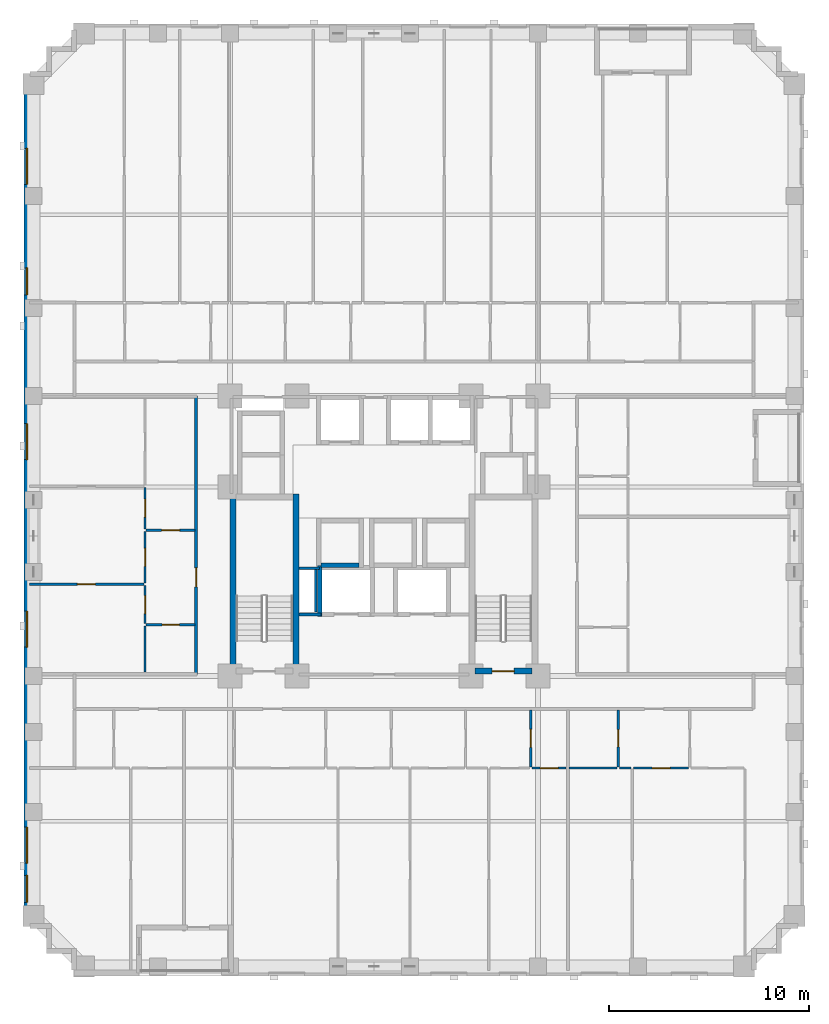
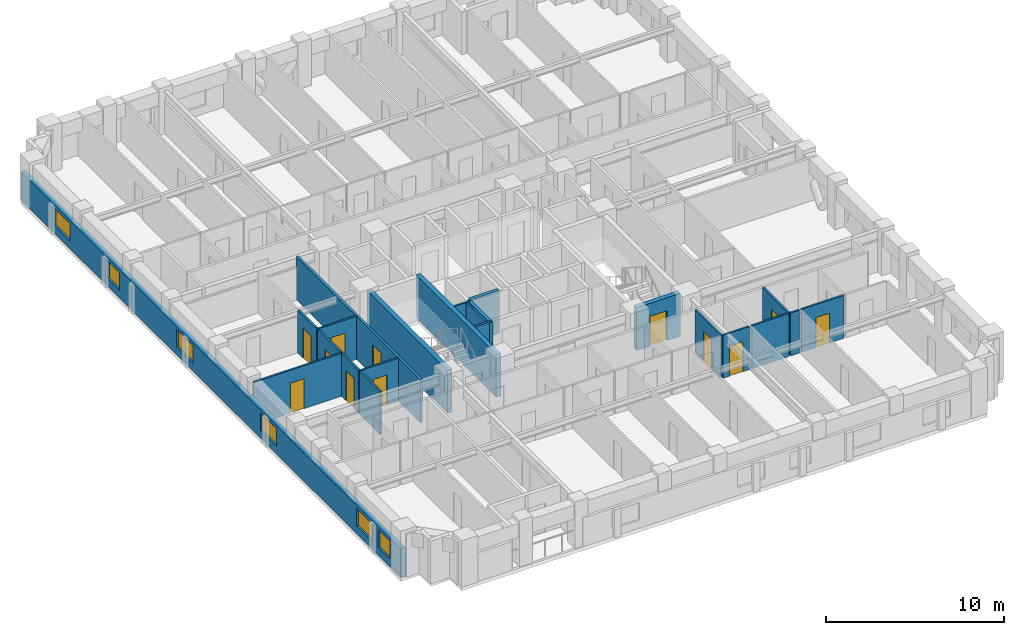
# One storey, part 4 of 14: 23 walls, 12 doors, 6 windows, 18 openings.
"""IFC4 building model written with IfcOpenShell, lengths in metres."""

import ifcopenshell
import ifcopenshell.guid

model = None  # the IFC model being written
_history = None  # IfcOwnerHistory: only IFC2X3 demands one
_inside = {}  # id of a spatial element -> (the spatial element, [elements in it])
_under = {}  # id of a project, library or spatial element -> (it, [spatial elements below it])
_declared = {}  # id of a project -> (the project, [libraries it declares])
_typed = {}  # id of a type object -> (the type object, [elements of that type])
_made_of = {}  # id of a material, layer set ... -> (it, [elements and type objects made of it])


def new_model(schema):
    """Start an empty IFC model of exactly this schema.

    Asked for "IFC4X3", IfcOpenShell would pick the latest addendum, in which some entities
    have other attributes; the version numbers below select the first issue.
    IFC2X3 requires an IfcOwnerHistory on every rooted entity: one is made here for all.
    """
    global model, _history
    if schema == "IFC4X3":
        model = ifcopenshell.file(schema_version=(4, 3, 0, 0))
    else:
        model = ifcopenshell.file(schema=schema)
    _inside.clear()
    _under.clear()
    _declared.clear()
    _typed.clear()
    _made_of.clear()
    _history = None
    if model.schema == "IFC2X3":
        org = make("IfcOrganization", Name="unknown")
        user = make(
            "IfcPersonAndOrganization",
            ThePerson=make("IfcPerson", FamilyName="unknown"),
            TheOrganization=org,
        )
        app = make(
            "IfcApplication",
            ApplicationDeveloper=org,
            Version="unknown",
            ApplicationFullName="unknown",
            ApplicationIdentifier="unknown",
        )
        _history = make(
            "IfcOwnerHistory",
            OwningUser=user,
            OwningApplication=app,
            ChangeAction="ADDED",
            CreationDate=0,
        )
    return model


def make(cls, **values):
    """One entity of the class cls with the attributes given. An attribute that is None is left unset."""
    return model.create_entity(
        cls, **{name: value for name, value in values.items() if value is not None}
    )


def rooted(cls, **values):
    """An entity with a GlobalId (a new one), such as an element, a storey or a relation."""
    return make(cls, GlobalId=ifcopenshell.guid.new(), OwnerHistory=_history, **values)


def si_unit(unit_type, name, prefix=None):
    """IfcSIUnit, for example si_unit("LENGTHUNIT", "METRE", prefix="MILLI")."""
    return make("IfcSIUnit", UnitType=unit_type, Prefix=prefix, Name=name)


def derived_unit(unit_type, elements):
    """IfcDerivedUnit: a product of units, each with its exponent."""
    return make(
        "IfcDerivedUnit",
        Elements=[
            make("IfcDerivedUnitElement", Unit=unit, Exponent=power)
            for unit, power in elements
        ],
        UnitType=unit_type,
    )


def assignment(units):
    """IfcUnitAssignment: the units of a project."""
    return None if units is None else make("IfcUnitAssignment", Units=units)


def point(xyz):
    """IfcCartesianPoint."""
    return None if xyz is None else make("IfcCartesianPoint", Coordinates=xyz)


def direction(xyz):
    """IfcDirection."""
    return None if xyz is None else make("IfcDirection", DirectionRatios=xyz)


def frame(location, z_axis=None, x_axis=None):
    """IfcAxis2Placement3D, a coordinate frame: its origin and axes. An axis left out is left unset."""
    return make(
        "IfcAxis2Placement3D",
        Location=point(location),
        Axis=direction(z_axis),
        RefDirection=direction(x_axis),
    )


def frame_2d(location, x_axis=None):
    """IfcAxis2Placement2D, a coordinate frame in the plane: its origin and x axis."""
    return make(
        "IfcAxis2Placement2D", Location=point(location), RefDirection=direction(x_axis)
    )


def origin():
    """The frame at (0, 0, 0) with its axes left unset."""
    return frame((0.0, 0.0, 0.0))


def place(relative_to, where):
    """IfcLocalPlacement: puts the frame where relative to a parent placement (None: the world)."""
    return make(
        "IfcLocalPlacement", PlacementRelTo=relative_to, RelativePlacement=where
    )


def context(
    kind, dimensions, precision=None, world=None, true_north=None, identifier=None
):
    """IfcGeometricRepresentationContext, for example the 3D "Model" context."""
    return make(
        "IfcGeometricRepresentationContext",
        ContextIdentifier=identifier,
        ContextType=kind,
        CoordinateSpaceDimension=dimensions,
        Precision=precision,
        WorldCoordinateSystem=world,
        TrueNorth=true_north,
    )


def subcontext(parent, identifier, kind, view, scale=None):
    """IfcGeometricRepresentationSubContext, for example "Body" below "Model"."""
    return make(
        "IfcGeometricRepresentationSubContext",
        ContextIdentifier=identifier,
        ContextType=kind,
        ParentContext=parent,
        TargetScale=scale,
        TargetView=view,
    )


def project(units=None, contexts=None):
    """IfcProject with its units and contexts."""
    return rooted(
        "IfcProject",
        Name="project",
        RepresentationContexts=contexts,
        UnitsInContext=assignment(units),
    )


def spatial(cls, under=None, at=None, **own):
    """A site, building, storey or space (cls), placed at a placement, below another one or the project."""
    s = rooted(cls, ObjectPlacement=at, **own)
    if under is not None:
        _under.setdefault(under.id(), (under, []))[1].append(s)
    return s


def profile(cls, at=None, kind="AREA", **sizes):
    """A parametric profile (cls). Its sizes go by their IFC names, for example OverallWidth=200.0."""
    return make(cls, ProfileType=kind, Position=at, **sizes)


def rectangle(**sizes):
    """IfcRectangleProfileDef."""
    return profile("IfcRectangleProfileDef", **sizes)


def extrude(swept, where, along, depth):
    """IfcExtrudedAreaSolid: the profile swept, set in the frame where, extruded along a direction by depth."""
    return make(
        "IfcExtrudedAreaSolid",
        SweptArea=swept,
        Position=where,
        ExtrudedDirection=direction(along),
        Depth=depth,
    )


def shape(context_of_items, identifier, shape_type, items):
    """IfcShapeRepresentation: the items that make up one representation, for example the "Body"."""
    return make(
        "IfcShapeRepresentation",
        ContextOfItems=context_of_items,
        RepresentationIdentifier=identifier,
        RepresentationType=shape_type,
        Items=items,
    )


def material(Name=None, Category=None):
    """IfcMaterial."""
    return make("IfcMaterial", Name=Name, Category=Category)


def layer(
    of_material, thickness, ventilated=None, Name=None, Category=None, Priority=None
):
    """IfcMaterialLayer: one layer of a wall or slab, of a material (None: an air gap)."""
    return make(
        "IfcMaterialLayer",
        Material=of_material,
        LayerThickness=thickness,
        IsVentilated=ventilated,
        Name=Name,
        Category=Category,
        Priority=Priority,
    )


def layer_set(layers, Name=None):
    """IfcMaterialLayerSet."""
    return make("IfcMaterialLayerSet", MaterialLayers=layers, LayerSetName=Name)


def made_of(thing, what):
    """Note that an element or type object is made of a material, layer set ...; save() writes the relation."""
    if what is not None:
        _made_of.setdefault(what.id(), (what, []))[1].append(thing)
    return thing


def type_object(cls, material=None, **own):
    """A type object (cls), such as IfcWallType, which elements share."""
    return made_of(rooted(cls, **own), material)


def element(
    cls,
    number,
    at=None,
    inside=None,
    cuts=None,
    type_object=None,
    material=None,
    context=None,
    identifier="Body",
    shape_type=None,
    held_by="IfcProductDefinitionShape",
    body=None,
    shapes=None,
    **own,
):
    """One element of the class cls, such as IfcWall. Its Tag is "e" and its number.

    at: its placement. inside: the storey or other place that contains it. cuts: it is an
    opening in that element (IfcRelVoidsElement). A single representation is given by context,
    identifier, shape_type and body (its items); several are given by shapes. held_by: the class
    of the entity that holds the representations. save() writes the other relations.
    """
    e = rooted(cls, Tag="e%d" % number, ObjectPlacement=at, **own)
    if body is not None:
        shapes = [shape(context, identifier, shape_type, body)]
    if shapes is not None:
        e.Representation = make(held_by, Representations=shapes)
    if inside is not None:
        _inside.setdefault(inside.id(), (inside, []))[1].append(e)
    if cuts is not None:
        rooted(
            "IfcRelVoidsElement", RelatingBuildingElement=cuts, RelatedOpeningElement=e
        )
    if type_object is not None:
        _typed.setdefault(type_object.id(), (type_object, []))[1].append(e)
    return made_of(e, material)


def fill(opening, filler):
    """IfcRelFillsElement: the door or window that sits in an opening."""
    return rooted(
        "IfcRelFillsElement",
        RelatingOpeningElement=opening,
        RelatedBuildingElement=filler,
    )


def aggregate(whole, parts):
    """IfcRelAggregates: a whole, such as a stair, and the parts it consists of."""
    return rooted("IfcRelAggregates", RelatingObject=whole, RelatedObjects=parts)


def save(model, path):
    """Write the relations noted so far, then the file.

    IfcRelAggregates (storeys below a building ...), IfcRelContainedInSpatialStructure (elements
    in a storey), IfcRelDefinesByType, IfcRelAssociatesMaterial and IfcRelDeclares: one each for
    every whole, place, type object, material and project.
    """
    for whole, parts in _under.values():
        aggregate(whole, parts)
    for where, things in _inside.values():
        rooted(
            "IfcRelContainedInSpatialStructure",
            RelatedElements=things,
            RelatingStructure=where,
        )
    for kind, things in _typed.values():
        rooted("IfcRelDefinesByType", RelatedObjects=things, RelatingType=kind)
    for what, things in _made_of.values():
        rooted("IfcRelAssociatesMaterial", RelatedObjects=things, RelatingMaterial=what)
    for by, libraries in _declared.values():
        rooted("IfcRelDeclares", RelatingContext=by, RelatedDefinitions=libraries)
    model.write(path)


model = new_model("IFC4")

# Units and contexts
model_context = context("Model", 3, precision=1e-05, world=origin(), true_north=direction((0.0, 1.0)))
body_context = subcontext(model_context, "Body", "Model", "MODEL_VIEW")
ifc_project = project(units=[si_unit("LENGTHUNIT", "METRE"), si_unit("AREAUNIT", "SQUARE_METRE"), si_unit("VOLUMEUNIT", "CUBIC_METRE"), si_unit("PLANEANGLEUNIT", "RADIAN"), si_unit("MASSUNIT", "GRAM", prefix="KILO"), derived_unit("THERMALTRANSMITTANCEUNIT", [(si_unit("MASSUNIT", "GRAM", prefix="KILO"), 1), (si_unit("TIMEUNIT", "SECOND"), -3), (si_unit("THERMODYNAMICTEMPERATUREUNIT", "KELVIN"), -1)])], contexts=[model_context])

# Site, building, storey
site_placement = place(None, origin())
site = spatial("IfcSite", under=ifc_project, at=site_placement, CompositionType="ELEMENT")
building_placement = place(site_placement, origin())
building = spatial("IfcBuilding", under=site, at=building_placement, Name="Korrvale Station Residences", CompositionType="ELEMENT")
storey_placement = place(building_placement, frame((0.0, 0.0, 51.39990234375)))
storey = spatial("IfcBuildingStorey", under=building, at=storey_placement, Name="L13", CompositionType="ELEMENT", Elevation=51.39990234375)

# Walls
ifc_material_1 = material(Name="Concrete C70/85", Category="concrete")
ifc_layer_1 = layer(ifc_material_1, 0.300048828125, Name="Concrete C70/85")
ifc_layer_set_1 = layer_set([ifc_layer_1], Name="Concrete C70/85")
wall_type_1 = type_object("IfcWallType", Name="WAL-CORE-300-C70", PredefinedType="SHEAR", material=ifc_layer_set_1)
for number, where, z_axis, x_axis, name in (
    (1, (17.949951171875, 15.10009765625, 0.0), (0.0, 0.0, 1.0), (0.0, 1.0, 0.0), "L13 ST-1 Core Shear Wall West"),
    (2, (21.10009765625, 15.10009765625, 0.0), (0.0, 0.0, 1.0), (0.0, 1.0, 0.0), "L13 ST-1 Core Shear Wall East"),
):
    element("IfcWall", number, at=place(storey_placement, frame(where, z_axis=z_axis, x_axis=x_axis)), inside=storey, type_object=wall_type_1, Name=name, PredefinedType="SHEAR", context=body_context, shape_type="SweptSolid", body=[
        extrude(rectangle(XDim=9.0, YDim=0.300048828125, at=frame_2d((4.5, 0.0))), origin(), (0.0, 0.0, 1.0), 2.940185546875),
    ])

# Wall, opening, door
wall_1_placement = place(storey_placement, frame((30.050048828125, 15.25, 0.0), z_axis=(0.0, 0.0, 1.0), x_axis=(1.0, 0.0, 0.0)))
wall_1 = element("IfcWall", 3, at=wall_1_placement, inside=storey, type_object=wall_type_1, Name="L13 ST-2 Core Shear Wall South", PredefinedType="SHEAR", context=body_context, shape_type="SweptSolid", body=[
    extrude(rectangle(XDim=2.849853515625, YDim=0.300048828125, at=frame_2d((1.4248046875, 0.0))), origin(), (0.0, 0.0, 1.0), 2.940185546875),
])
opening_1_placement = place(wall_1_placement, frame((0.860107421875, 0.0, 0.0)))
opening_1 = element("IfcOpeningElement", 4, at=opening_1_placement, cuts=wall_1, Name="Opening SD-1100", PredefinedType="OPENING", context=body_context, shape_type="SweptSolid", body=[
    extrude(rectangle(XDim=1.10009765625, YDim=2.050048828125, at=frame_2d((0.550048828125, 1.02490234375))), frame((0.0, 0.16015625, 0.0), z_axis=(0.0, -1.0, 0.0), x_axis=(1.0, 0.0, 0.0)), (0.0, 0.0, 1.0), 0.320068359375),
])
ifc_material_2 = material(Name="Hollow-metal fire-rated stair door with closer", Category="steel")
door_type_1 = type_object("IfcDoorType", Name="DR-STAIR-1100", OperationType="NOTDEFINED", PredefinedType="DOOR", material=ifc_material_2)
door_1_placement = place(opening_1_placement, origin())
door_1 = element("IfcDoor", 5, at=door_1_placement, inside=storey, type_object=door_type_1, Name="L13 ST-2 Exit Stair Door", OperationType="SINGLE_SWING_RIGHT", OverallHeight=2.050048828125, OverallWidth=1.10009765625, PredefinedType="DOOR", context=body_context, shape_type="SweptSolid", body=[
    extrude(rectangle(XDim=1.10009765625, YDim=2.050048828125, at=frame_2d((0.550048828125, 1.02490234375))), frame((0.0, 0.02490234375, 0.0), z_axis=(0.0, -1.0, 0.0), x_axis=(1.0, 0.0, 0.0)), (0.0, 0.0, 1.0), 0.050048828125),
])
fill(opening_1, door_1)

# Wall, openings, windows
ifc_material_3 = material(Name="Precast concrete C45/55", Category="concrete")
ifc_layer_2 = layer(ifc_material_3, 0.300048828125, Name="Precast concrete C45/55")
ifc_layer_set_2 = layer_set([ifc_layer_2], Name="Precast concrete C45/55")
wall_type_2 = type_object("IfcWallType", Name="WAL-EXT-PC300", PredefinedType="SOLIDWALL", material=ifc_layer_set_2)
wall_2_placement = place(storey_placement, frame((7.64990234375, 2.5, 0.0), z_axis=(0.0, 0.0, 1.0), x_axis=(0.0, 1.0, 0.0)))
wall_2 = element("IfcWall", 6, at=wall_2_placement, inside=storey, type_object=wall_type_2, Name="L13 West Exterior Precast Wall 1", PredefinedType="SOLIDWALL", context=body_context, shape_type="SweptSolid", body=[
    extrude(rectangle(XDim=42.60009765625, YDim=0.300048828125, at=frame_2d((21.300048828125, 0.0))), origin(), (0.0, 0.0, 1.0), 1.97509765625),
])
opening_2_placement = place(wall_2_placement, frame((3.14990234375, 0.0, 0.550048828125)))
opening_2 = element("IfcOpeningElement", 7, at=opening_2_placement, cuts=wall_2, Name="Opening W-09", PredefinedType="OPENING", context=body_context, shape_type="SweptSolid", body=[
    extrude(rectangle(XDim=1.800048828125, YDim=1.199951171875, at=frame_2d((0.89990234375, 0.60009765625))), frame((0.0, 0.16015625, 0.0), z_axis=(0.0, -1.0, 0.0), x_axis=(1.0, 0.0, 0.0)), (0.0, 0.0, 1.0), 0.320068359375),
])
opening_3_placement = place(wall_2_placement, frame((1.18505859375, 0.0, 0.550048828125)))
opening_3 = element("IfcOpeningElement", 8, at=opening_3_placement, cuts=wall_2, Name="Opening W-10", PredefinedType="OPENING", context=body_context, shape_type="SweptSolid", body=[
    extrude(rectangle(XDim=1.35009765625, YDim=1.199951171875, at=frame_2d((0.675048828125, 0.60009765625))), frame((0.0, 0.16015625, 0.0), z_axis=(0.0, -1.0, 0.0), x_axis=(1.0, 0.0, 0.0)), (0.0, 0.0, 1.0), 0.320068359375),
])
opening_4_placement = place(wall_2_placement, frame((37.0849609375, 0.0, 0.550048828125)))
opening_4 = element("IfcOpeningElement", 9, at=opening_4_placement, cuts=wall_2, Name="Opening W-09", PredefinedType="OPENING", context=body_context, shape_type="SweptSolid", body=[
    extrude(rectangle(XDim=1.800048828125, YDim=1.199951171875, at=frame_2d((0.89990234375, 0.60009765625))), frame((0.0, 0.16015625, 0.0), z_axis=(0.0, -1.0, 0.0), x_axis=(1.0, 0.0, 0.0)), (0.0, 0.0, 1.0), 0.320068359375),
])
opening_5_placement = place(wall_2_placement, frame((31.550048828125, 0.0, 0.550048828125)))
opening_5 = element("IfcOpeningElement", 10, at=opening_5_placement, cuts=wall_2, Name="Opening W-10", PredefinedType="OPENING", context=body_context, shape_type="SweptSolid", body=[
    extrude(rectangle(XDim=1.35009765625, YDim=1.199951171875, at=frame_2d((0.675048828125, 0.60009765625))), frame((0.0, 0.16015625, 0.0), z_axis=(0.0, -1.0, 0.0), x_axis=(1.0, 0.0, 0.0)), (0.0, 0.0, 1.0), 0.320068359375),
])
opening_6_placement = place(wall_2_placement, frame((13.949951171875, 0.0, 0.550048828125)))
opening_6 = element("IfcOpeningElement", 11, at=opening_6_placement, cuts=wall_2, Name="Opening W-09", PredefinedType="OPENING", context=body_context, shape_type="SweptSolid", body=[
    extrude(rectangle(XDim=1.800048828125, YDim=1.199951171875, at=frame_2d((0.89990234375, 0.60009765625))), frame((0.0, 0.16015625, 0.0), z_axis=(0.0, -1.0, 0.0), x_axis=(1.0, 0.0, 0.0)), (0.0, 0.0, 1.0), 0.320068359375),
])
opening_7_placement = place(wall_2_placement, frame((23.324951171875, 0.0, 0.550048828125)))
opening_7 = element("IfcOpeningElement", 12, at=opening_7_placement, cuts=wall_2, Name="Opening W-09", PredefinedType="OPENING", context=body_context, shape_type="SweptSolid", body=[
    extrude(rectangle(XDim=1.800048828125, YDim=1.199951171875, at=frame_2d((0.89990234375, 0.60009765625))), frame((0.0, 0.16015625, 0.0), z_axis=(0.0, -1.0, 0.0), x_axis=(1.0, 0.0, 0.0)), (0.0, 0.0, 1.0), 0.320068359375),
])
ifc_material_4 = material(Name="Thermally broken aluminium frame with triple low-e glazing", Category="aluminium")
window_type_1 = type_object("IfcWindowType", Name="WIN-W09", PartitioningType="DOUBLE_PANEL_VERTICAL", PredefinedType="WINDOW", material=ifc_material_4)
window_1_placement = place(opening_2_placement, origin())
window_1 = element("IfcWindow", 13, at=window_1_placement, inside=storey, type_object=window_type_1, Name="L13 Punched Window 01", OverallHeight=1.199951171875, OverallWidth=1.800048828125, PartitioningType="DOUBLE_PANEL_VERTICAL", PredefinedType="WINDOW", context=body_context, shape_type="SweptSolid", body=[
    extrude(rectangle(XDim=1.800048828125, YDim=1.199951171875, at=frame_2d((0.89990234375, 0.60009765625))), frame((0.0, 0.030029296875, 0.0), z_axis=(0.0, -1.0, 0.0), x_axis=(1.0, 0.0, 0.0)), (0.0, 0.0, 1.0), 0.06005859375),
])
fill(opening_2, window_1)
window_2_placement = place(opening_4_placement, origin())
window_2 = element("IfcWindow", 14, at=window_2_placement, inside=storey, type_object=window_type_1, Name="L13 Punched Window 11", OverallHeight=1.199951171875, OverallWidth=1.800048828125, PartitioningType="DOUBLE_PANEL_VERTICAL", PredefinedType="WINDOW", context=body_context, shape_type="SweptSolid", body=[
    extrude(rectangle(XDim=1.800048828125, YDim=1.199951171875, at=frame_2d((0.89990234375, 0.60009765625))), frame((0.0, 0.030029296875, 0.0), z_axis=(0.0, -1.0, 0.0), x_axis=(1.0, 0.0, 0.0)), (0.0, 0.0, 1.0), 0.06005859375),
])
fill(opening_4, window_2)
window_3_placement = place(opening_6_placement, origin())
window_3 = element("IfcWindow", 15, at=window_3_placement, inside=storey, type_object=window_type_1, Name="L13 Punched Window 21", OverallHeight=1.199951171875, OverallWidth=1.800048828125, PartitioningType="DOUBLE_PANEL_VERTICAL", PredefinedType="WINDOW", context=body_context, shape_type="SweptSolid", body=[
    extrude(rectangle(XDim=1.800048828125, YDim=1.199951171875, at=frame_2d((0.89990234375, 0.60009765625))), frame((0.0, 0.030029296875, 0.0), z_axis=(0.0, -1.0, 0.0), x_axis=(1.0, 0.0, 0.0)), (0.0, 0.0, 1.0), 0.06005859375),
])
fill(opening_6, window_3)
window_4_placement = place(opening_7_placement, origin())
window_4 = element("IfcWindow", 16, at=window_4_placement, inside=storey, type_object=window_type_1, Name="L13 Punched Window 22", OverallHeight=1.199951171875, OverallWidth=1.800048828125, PartitioningType="DOUBLE_PANEL_VERTICAL", PredefinedType="WINDOW", context=body_context, shape_type="SweptSolid", body=[
    extrude(rectangle(XDim=1.800048828125, YDim=1.199951171875, at=frame_2d((0.89990234375, 0.60009765625))), frame((0.0, 0.030029296875, 0.0), z_axis=(0.0, -1.0, 0.0), x_axis=(1.0, 0.0, 0.0)), (0.0, 0.0, 1.0), 0.06005859375),
])
fill(opening_7, window_4)
window_type_2 = type_object("IfcWindowType", Name="WIN-W10", PartitioningType="SINGLE_PANEL", PredefinedType="WINDOW", material=ifc_material_4)
window_5_placement = place(opening_3_placement, origin())
window_5 = element("IfcWindow", 17, at=window_5_placement, inside=storey, type_object=window_type_2, Name="L13 Punched Window 02", OverallHeight=1.199951171875, OverallWidth=1.35009765625, PartitioningType="SINGLE_PANEL", PredefinedType="WINDOW", context=body_context, shape_type="SweptSolid", body=[
    extrude(rectangle(XDim=1.35009765625, YDim=1.199951171875, at=frame_2d((0.675048828125, 0.60009765625))), frame((0.0, 0.030029296875, 0.0), z_axis=(0.0, -1.0, 0.0), x_axis=(1.0, 0.0, 0.0)), (0.0, 0.0, 1.0), 0.06005859375),
])
fill(opening_3, window_5)
window_6_placement = place(opening_5_placement, origin())
window_6 = element("IfcWindow", 18, at=window_6_placement, inside=storey, type_object=window_type_2, Name="L13 Punched Window 12", OverallHeight=1.199951171875, OverallWidth=1.35009765625, PartitioningType="SINGLE_PANEL", PredefinedType="WINDOW", context=body_context, shape_type="SweptSolid", body=[
    extrude(rectangle(XDim=1.35009765625, YDim=1.199951171875, at=frame_2d((0.675048828125, 0.60009765625))), frame((0.0, 0.030029296875, 0.0), z_axis=(0.0, -1.0, 0.0), x_axis=(1.0, 0.0, 0.0)), (0.0, 0.0, 1.0), 0.06005859375),
])
fill(opening_5, window_6)

# Walls
ifc_material_5 = material(Name="Acoustic steel-stud gypsum board partition", Category="steel")
ifc_layer_3 = layer(ifc_material_5, 0.1201171875, Name="Acoustic steel-stud gypsum board partition")
ifc_layer_set_3 = layer_set([ifc_layer_3], Name="Acoustic steel-stud gypsum board partition")
wall_type_3 = type_object("IfcWallType", Name="WAL-PART-125", PredefinedType="PARTITIONING", material=ifc_layer_set_3)
wall_3_placement = place(storey_placement, frame((22.080078125, 18.199951171875, 0.0), z_axis=(0.0, 0.0, 1.0), x_axis=(0.0, 1.0, 0.0)))
element("IfcWall", 19, at=wall_3_placement, inside=storey, type_object=wall_type_3, Name="L13 Core Partition CW-RSWT", PredefinedType="PARTITIONING", context=body_context, shape_type="SweptSolid", body=[
    extrude(rectangle(XDim=2.1201171875, YDim=0.1201171875, at=frame_2d((1.06005859375, 0.0))), origin(), (0.0, 0.0, 1.0), 2.940185546875),
])
wall_4_placement = place(storey_placement, frame((22.280029296875, 20.3798828125, 0.0), z_axis=(0.0, 0.0, 1.0), x_axis=(-1.0, 0.0, 0.0)))
element("IfcWall", 20, at=wall_4_placement, inside=storey, type_object=wall_type_3, Name="L13 Core Partition CW-RSWT-N", PredefinedType="PARTITIONING", context=body_context, shape_type="SweptSolid", body=[
    extrude(rectangle(XDim=1.02001953125, YDim=0.1201171875, at=frame_2d((0.510009765625, 0.0))), origin(), (0.0, 0.0, 1.0), 2.940185546875),
])

# Wall, opening, door
wall_5_placement = place(storey_placement, frame((32.845947265625, 10.4599609375, 0.0), z_axis=(0.0, 0.0, 1.0), x_axis=(0.0, 1.0, 0.0)))
wall_5 = element("IfcWall", 21, at=wall_5_placement, inside=storey, type_object=wall_type_3, Name="L13 Suite Partition U02-V45", PredefinedType="PARTITIONING", context=body_context, shape_type="SweptSolid", body=[
    extrude(rectangle(XDim=2.85009765625, YDim=0.1201171875, at=frame_2d((1.425048828125, 0.0))), origin(), (0.0, 0.0, 1.0), 2.940185546875),
])
opening_8_placement = place(wall_5_placement, frame((0.97509765625, 0.0, 0.0)))
opening_8 = element("IfcOpeningElement", 22, at=opening_8_placement, cuts=wall_5, Name="Opening DI-900", PredefinedType="OPENING", context=body_context, shape_type="SweptSolid", body=[
    extrude(rectangle(XDim=0.89990234375, YDim=2.050048828125, at=frame_2d((0.449951171875, 1.02490234375))), frame((0.0, 0.070068359375, 0.0), z_axis=(0.0, -1.0, 0.0), x_axis=(1.0, 0.0, 0.0)), (0.0, 0.0, 1.0), 0.14013671875),
])
ifc_material_6 = material(Name="Painted solid-core timber interior room door", Category="wood")
door_type_2 = type_object("IfcDoorType", Name="DR-INT-900", OperationType="NOTDEFINED", PredefinedType="DOOR", material=ifc_material_6)
door_2_placement = place(opening_8_placement, origin())
door_2 = element("IfcDoor", 23, at=door_2_placement, inside=storey, type_object=door_type_2, Name="L13 Apartment 2BR L13-U02 Storage Closet 3 Door", OperationType="SINGLE_SWING_LEFT", OverallHeight=2.050048828125, OverallWidth=0.89990234375, PredefinedType="DOOR", context=body_context, shape_type="SweptSolid", body=[
    extrude(rectangle(XDim=0.89990234375, YDim=2.050048828125, at=frame_2d((0.449951171875, 1.02490234375))), frame((0.0, 0.02490234375, 0.0), z_axis=(0.0, -1.0, 0.0), x_axis=(1.0, 0.0, 0.0)), (0.0, 0.0, 1.0), 0.050048828125),
])
fill(opening_8, door_2)

wall_6_placement = place(storey_placement, frame((32.906005859375, 10.39990234375, 0.0), z_axis=(0.0, 0.0, 1.0), x_axis=(1.0, 0.0, 0.0)))
wall_6 = element("IfcWall", 24, at=wall_6_placement, inside=storey, type_object=wall_type_3, Name="L13 Suite Partition U02-H510", PredefinedType="PARTITIONING", context=body_context, shape_type="SweptSolid", body=[
    extrude(rectangle(XDim=1.68994140625, YDim=0.1201171875, at=frame_2d((0.844970703125, 0.0))), origin(), (0.0, 0.0, 1.0), 2.940185546875),
])
opening_9_placement = place(wall_6_placement, frame((0.39501953125, 0.0, 0.0)))
opening_9 = element("IfcOpeningElement", 25, at=opening_9_placement, cuts=wall_6, Name="Opening DI-900", PredefinedType="OPENING", context=body_context, shape_type="SweptSolid", body=[
    extrude(rectangle(XDim=0.89990234375, YDim=2.050048828125, at=frame_2d((0.449951171875, 1.02490234375))), frame((0.0, 0.070068359375, 0.0), z_axis=(0.0, -1.0, 0.0), x_axis=(1.0, 0.0, 0.0)), (0.0, 0.0, 1.0), 0.14013671875),
])
door_3_placement = place(opening_9_placement, origin())
door_3 = element("IfcDoor", 26, at=door_3_placement, inside=storey, type_object=door_type_2, Name="L13 Apartment 2BR L13-U02 Storage Closet 4 Door", OperationType="SINGLE_SWING_LEFT", OverallHeight=2.050048828125, OverallWidth=0.89990234375, PredefinedType="DOOR", context=body_context, shape_type="SweptSolid", body=[
    extrude(rectangle(XDim=0.89990234375, YDim=2.050048828125, at=frame_2d((0.449951171875, 1.02490234375))), frame((0.0, 0.02490234375, 0.0), z_axis=(0.0, -1.0, 0.0), x_axis=(1.0, 0.0, 0.0)), (0.0, 0.0, 1.0), 0.050048828125),
])
fill(opening_9, door_3)

wall_7_placement = place(storey_placement, frame((37.216064453125, 10.4599609375, 0.0), z_axis=(0.0, 0.0, 1.0), x_axis=(0.0, 1.0, 0.0)))
wall_7 = element("IfcWall", 27, at=wall_7_placement, inside=storey, type_object=wall_type_3, Name="L13 Suite Partition U03-V01", PredefinedType="PARTITIONING", context=body_context, shape_type="SweptSolid", body=[
    extrude(rectangle(XDim=2.85009765625, YDim=0.1201171875, at=frame_2d((1.425048828125, 0.0))), origin(), (0.0, 0.0, 1.0), 2.940185546875),
])
opening_10_placement = place(wall_7_placement, frame((0.9951171875, 0.0, 0.0)))
opening_10 = element("IfcOpeningElement", 28, at=opening_10_placement, cuts=wall_7, Name="Opening DB-860", PredefinedType="OPENING", context=body_context, shape_type="SweptSolid", body=[
    extrude(rectangle(XDim=0.860107421875, YDim=2.050048828125, at=frame_2d((0.43017578125, 1.02490234375))), frame((0.0, 0.070068359375, 0.0), z_axis=(0.0, -1.0, 0.0), x_axis=(1.0, 0.0, 0.0)), (0.0, 0.0, 1.0), 0.14013671875),
])
ifc_material_7 = material(Name="Moisture-resistant solid-core bathroom door", Category="timber")
door_type_3 = type_object("IfcDoorType", Name="DR-BATH-860", OperationType="NOTDEFINED", PredefinedType="DOOR", material=ifc_material_7)
door_4_placement = place(opening_10_placement, origin())
door_4 = element("IfcDoor", 29, at=door_4_placement, inside=storey, type_object=door_type_3, Name="L13 Studio Apartment L13-U03 Bathroom Door", OperationType="SINGLE_SWING_RIGHT", OverallHeight=2.050048828125, OverallWidth=0.860107421875, PredefinedType="DOOR", context=body_context, shape_type="SweptSolid", body=[
    extrude(rectangle(XDim=0.860107421875, YDim=2.050048828125, at=frame_2d((0.43017578125, 1.02490234375))), frame((0.0, 0.02490234375, 0.0), z_axis=(0.0, -1.0, 0.0), x_axis=(1.0, 0.0, 0.0)), (0.0, 0.0, 1.0), 0.050048828125),
])
fill(opening_10, door_4)

# Walls
wall_8_placement = place(storey_placement, frame((34.756103515625, 10.39990234375, 0.0), z_axis=(0.0, 0.0, 1.0), x_axis=(1.0, 0.0, 0.0)))
element("IfcWall", 30, at=wall_8_placement, inside=storey, type_object=wall_type_3, Name="L13 Suite Partition U03-H03", PredefinedType="PARTITIONING", context=body_context, shape_type="SweptSolid", body=[
    extrude(rectangle(XDim=2.39990234375, YDim=0.1201171875, at=frame_2d((1.199951171875, 0.0))), origin(), (0.0, 0.0, 1.0), 2.940185546875),
])
wall_9_placement = place(storey_placement, frame((37.27587890625, 10.39990234375, 0.0), z_axis=(0.0, 0.0, 1.0), x_axis=(1.0, 0.0, 0.0)))
element("IfcWall", 31, at=wall_9_placement, inside=storey, type_object=wall_type_3, Name="L13 Suite Partition U03-H13", PredefinedType="PARTITIONING", context=body_context, shape_type="SweptSolid", body=[
    extrude(rectangle(XDim=0.580078125, YDim=0.1201171875, at=frame_2d((0.2900390625, 0.0))), origin(), (0.0, 0.0, 1.0), 2.940185546875),
])

# Wall, opening, door
wall_10_placement = place(storey_placement, frame((37.97607421875, 10.39990234375, 0.0), z_axis=(0.0, 0.0, 1.0), x_axis=(1.0, 0.0, 0.0)))
wall_10 = element("IfcWall", 32, at=wall_10_placement, inside=storey, type_object=wall_type_3, Name="L13 Suite Partition U03-H14", PredefinedType="PARTITIONING", context=body_context, shape_type="SweptSolid", body=[
    extrude(rectangle(XDim=2.75, YDim=0.1201171875, at=frame_2d((1.375, 0.0))), origin(), (0.0, 0.0, 1.0), 2.940185546875),
])
opening_11_placement = place(wall_10_placement, frame((0.925048828125, 0.0, 0.0)))
opening_11 = element("IfcOpeningElement", 33, at=opening_11_placement, cuts=wall_10, Name="Opening DI-900", PredefinedType="OPENING", context=body_context, shape_type="SweptSolid", body=[
    extrude(rectangle(XDim=0.89990234375, YDim=2.050048828125, at=frame_2d((0.449951171875, 1.02490234375))), frame((0.0, 0.070068359375, 0.0), z_axis=(0.0, -1.0, 0.0), x_axis=(1.0, 0.0, 0.0)), (0.0, 0.0, 1.0), 0.14013671875),
])
door_5_placement = place(opening_11_placement, origin())
door_5 = element("IfcDoor", 34, at=door_5_placement, inside=storey, type_object=door_type_2, Name="L13 Studio Apartment L13-U03 Kitchen Door", OperationType="SINGLE_SWING_RIGHT", OverallHeight=2.050048828125, OverallWidth=0.89990234375, PredefinedType="DOOR", context=body_context, shape_type="SweptSolid", body=[
    extrude(rectangle(XDim=0.89990234375, YDim=2.050048828125, at=frame_2d((0.449951171875, 1.02490234375))), frame((0.0, 0.02490234375, 0.0), z_axis=(0.0, -1.0, 0.0), x_axis=(1.0, 0.0, 0.0)), (0.0, 0.0, 1.0), 0.050048828125),
])
fill(opening_11, door_5)

wall_11_placement = place(storey_placement, frame((13.610107421875, 22.2900390625, 0.0), z_axis=(0.0, 0.0, 1.0), x_axis=(1.0, 0.0, 0.0)))
wall_11 = element("IfcWall", 35, at=wall_11_placement, inside=storey, type_object=wall_type_3, Name="L13 Suite Partition U06-H02", PredefinedType="PARTITIONING", context=body_context, shape_type="SweptSolid", body=[
    extrude(rectangle(XDim=2.449951171875, YDim=0.1201171875, at=frame_2d((1.22509765625, 0.0))), origin(), (0.0, 0.0, 1.0), 2.940185546875),
])
opening_12_placement = place(wall_11_placement, frame((0.77490234375, 0.0, 0.0)))
opening_12 = element("IfcOpeningElement", 36, at=opening_12_placement, cuts=wall_11, Name="Opening DI-900", PredefinedType="OPENING", context=body_context, shape_type="SweptSolid", body=[
    extrude(rectangle(XDim=0.89990234375, YDim=2.050048828125, at=frame_2d((0.449951171875, 1.02490234375))), frame((0.0, 0.070068359375, 0.0), z_axis=(0.0, -1.0, 0.0), x_axis=(1.0, 0.0, 0.0)), (0.0, 0.0, 1.0), 0.14013671875),
])
door_6_placement = place(opening_12_placement, origin())
door_6 = element("IfcDoor", 37, at=door_6_placement, inside=storey, type_object=door_type_2, Name="L13 Apartment 2BR L13-U06 Wardrobe Storage Room Door", OperationType="SINGLE_SWING_LEFT", OverallHeight=2.050048828125, OverallWidth=0.89990234375, PredefinedType="DOOR", context=body_context, shape_type="SweptSolid", body=[
    extrude(rectangle(XDim=0.89990234375, YDim=2.050048828125, at=frame_2d((0.449951171875, 1.02490234375))), frame((0.0, 0.02490234375, 0.0), z_axis=(0.0, -1.0, 0.0), x_axis=(1.0, 0.0, 0.0)), (0.0, 0.0, 1.0), 0.050048828125),
])
fill(opening_12, door_6)

wall_12_placement = place(storey_placement, frame((13.550048828125, 22.35009765625, 0.0), z_axis=(0.0, 0.0, 1.0), x_axis=(0.0, 1.0, 0.0)))
wall_12 = element("IfcWall", 38, at=wall_12_placement, inside=storey, type_object=wall_type_3, Name="L13 Suite Partition U06-V04", PredefinedType="PARTITIONING", context=body_context, shape_type="SweptSolid", body=[
    extrude(rectangle(XDim=2.081787109375, YDim=0.1201171875, at=frame_2d((1.041015625, 0.0))), origin(), (0.0, 0.0, 1.0), 2.940185546875),
])
opening_13_placement = place(wall_12_placement, frame((0.591064453125, 0.0, 0.0)))
opening_13 = element("IfcOpeningElement", 39, at=opening_13_placement, cuts=wall_12, Name="Opening DI-900", PredefinedType="OPENING", context=body_context, shape_type="SweptSolid", body=[
    extrude(rectangle(XDim=0.89990234375, YDim=2.050048828125, at=frame_2d((0.449951171875, 1.02490234375))), frame((0.0, 0.070068359375, 0.0), z_axis=(0.0, -1.0, 0.0), x_axis=(1.0, 0.0, 0.0)), (0.0, 0.0, 1.0), 0.14013671875),
])
door_7_placement = place(opening_13_placement, origin())
door_7 = element("IfcDoor", 40, at=door_7_placement, inside=storey, type_object=door_type_2, Name="L13 Apartment 2BR L13-U06 Wardrobe Storage Room Door", OperationType="SINGLE_SWING_RIGHT", OverallHeight=2.050048828125, OverallWidth=0.89990234375, PredefinedType="DOOR", context=body_context, shape_type="SweptSolid", body=[
    extrude(rectangle(XDim=0.89990234375, YDim=2.050048828125, at=frame_2d((0.449951171875, 1.02490234375))), frame((0.0, 0.02490234375, 0.0), z_axis=(0.0, -1.0, 0.0), x_axis=(1.0, 0.0, 0.0)), (0.0, 0.0, 1.0), 0.050048828125),
])
fill(opening_13, door_7)

wall_13_placement = place(storey_placement, frame((13.610107421875, 17.570068359375, 0.0), z_axis=(0.0, 0.0, 1.0), x_axis=(1.0, 0.0, 0.0)))
wall_13 = element("IfcWall", 41, at=wall_13_placement, inside=storey, type_object=wall_type_3, Name="L13 Suite Partition U06-H12", PredefinedType="PARTITIONING", context=body_context, shape_type="SweptSolid", body=[
    extrude(rectangle(XDim=2.449951171875, YDim=0.1201171875, at=frame_2d((1.22509765625, 0.0))), origin(), (0.0, 0.0, 1.0), 2.940185546875),
])
opening_14_placement = place(wall_13_placement, frame((0.794921875, 0.0, 0.0)))
opening_14 = element("IfcOpeningElement", 42, at=opening_14_placement, cuts=wall_13, Name="Opening DB-860", PredefinedType="OPENING", context=body_context, shape_type="SweptSolid", body=[
    extrude(rectangle(XDim=0.860107421875, YDim=2.050048828125, at=frame_2d((0.43017578125, 1.02490234375))), frame((0.0, 0.070068359375, 0.0), z_axis=(0.0, -1.0, 0.0), x_axis=(1.0, 0.0, 0.0)), (0.0, 0.0, 1.0), 0.14013671875),
])
door_8_placement = place(opening_14_placement, origin())
door_8 = element("IfcDoor", 43, at=door_8_placement, inside=storey, type_object=door_type_3, Name="L13 Apartment 2BR L13-U06 Bathroom Door", OperationType="SINGLE_SWING_RIGHT", OverallHeight=2.050048828125, OverallWidth=0.860107421875, PredefinedType="DOOR", context=body_context, shape_type="SweptSolid", body=[
    extrude(rectangle(XDim=0.860107421875, YDim=2.050048828125, at=frame_2d((0.43017578125, 1.02490234375))), frame((0.0, 0.02490234375, 0.0), z_axis=(0.0, -1.0, 0.0), x_axis=(1.0, 0.0, 0.0)), (0.0, 0.0, 1.0), 0.050048828125),
])
fill(opening_14, door_8)

# Wall
wall_14_placement = place(storey_placement, frame((13.550048828125, 15.2099609375, 0.0), z_axis=(0.0, 0.0, 1.0), x_axis=(0.0, 1.0, 0.0)))
element("IfcWall", 44, at=wall_14_placement, inside=storey, type_object=wall_type_3, Name="L13 Suite Partition U06-V13", PredefinedType="PARTITIONING", context=body_context, shape_type="SweptSolid", body=[
    extrude(rectangle(XDim=2.300048828125, YDim=0.1201171875, at=frame_2d((1.14990234375, 0.0))), origin(), (0.0, 0.0, 1.0), 2.940185546875),
])

# Wall, opening, door
wall_15_placement = place(storey_placement, frame((13.550048828125, 17.6298828125, 0.0), z_axis=(0.0, 0.0, 1.0), x_axis=(0.0, 1.0, 0.0)))
wall_15 = element("IfcWall", 45, at=wall_15_placement, inside=storey, type_object=wall_type_3, Name="L13 Suite Partition U06-V23", PredefinedType="PARTITIONING", context=body_context, shape_type="SweptSolid", body=[
    extrude(rectangle(XDim=1.88818359375, YDim=0.1201171875, at=frame_2d((0.944091796875, 0.0))), origin(), (0.0, 0.0, 1.0), 2.940185546875),
])
opening_15_placement = place(wall_15_placement, frame((0.493896484375, 0.0, 0.0)))
opening_15 = element("IfcOpeningElement", 46, at=opening_15_placement, cuts=wall_15, Name="Opening DI-900", PredefinedType="OPENING", context=body_context, shape_type="SweptSolid", body=[
    extrude(rectangle(XDim=0.89990234375, YDim=2.050048828125, at=frame_2d((0.449951171875, 1.02490234375))), frame((0.0, 0.070068359375, 0.0), z_axis=(0.0, -1.0, 0.0), x_axis=(1.0, 0.0, 0.0)), (0.0, 0.0, 1.0), 0.14013671875),
])
door_9_placement = place(opening_15_placement, origin())
door_9 = element("IfcDoor", 47, at=door_9_placement, inside=storey, type_object=door_type_2, Name="L13 Apartment 2BR L13-U06 Kitchen Door", OperationType="SINGLE_SWING_LEFT", OverallHeight=2.050048828125, OverallWidth=0.89990234375, PredefinedType="DOOR", context=body_context, shape_type="SweptSolid", body=[
    extrude(rectangle(XDim=0.89990234375, YDim=2.050048828125, at=frame_2d((0.449951171875, 1.02490234375))), frame((0.0, 0.02490234375, 0.0), z_axis=(0.0, -1.0, 0.0), x_axis=(1.0, 0.0, 0.0)), (0.0, 0.0, 1.0), 0.050048828125),
])
fill(opening_15, door_9)

wall_16_placement = place(storey_placement, frame((13.550048828125, 19.637939453125, 0.0), z_axis=(0.0, 0.0, 1.0), x_axis=(0.0, 1.0, 0.0)))
wall_16 = element("IfcWall", 48, at=wall_16_placement, inside=storey, type_object=wall_type_3, Name="L13 Suite Partition U06-V24", PredefinedType="PARTITIONING", context=body_context, shape_type="SweptSolid", body=[
    extrude(rectangle(XDim=2.592041015625, YDim=0.1201171875, at=frame_2d((1.2958984375, 0.0))), origin(), (0.0, 0.0, 1.0), 2.940185546875),
])
opening_16_placement = place(wall_16_placement, frame((0.845947265625, 0.0, 0.0)))
opening_16 = element("IfcOpeningElement", 49, at=opening_16_placement, cuts=wall_16, Name="Opening DI-900", PredefinedType="OPENING", context=body_context, shape_type="SweptSolid", body=[
    extrude(rectangle(XDim=0.89990234375, YDim=2.050048828125, at=frame_2d((0.449951171875, 1.02490234375))), frame((0.0, 0.070068359375, 0.0), z_axis=(0.0, -1.0, 0.0), x_axis=(1.0, 0.0, 0.0)), (0.0, 0.0, 1.0), 0.14013671875),
])
door_10_placement = place(opening_16_placement, origin())
door_10 = element("IfcDoor", 50, at=door_10_placement, inside=storey, type_object=door_type_2, Name="L13 Apartment 2BR L13-U06 Kitchen Door", OperationType="SINGLE_SWING_RIGHT", OverallHeight=2.050048828125, OverallWidth=0.89990234375, PredefinedType="DOOR", context=body_context, shape_type="SweptSolid", body=[
    extrude(rectangle(XDim=0.89990234375, YDim=2.050048828125, at=frame_2d((0.449951171875, 1.02490234375))), frame((0.0, 0.02490234375, 0.0), z_axis=(0.0, -1.0, 0.0), x_axis=(1.0, 0.0, 0.0)), (0.0, 0.0, 1.0), 0.050048828125),
])
fill(opening_16, door_10)

wall_17_placement = place(storey_placement, frame((7.780029296875, 19.577880859375, 0.0), z_axis=(0.0, 0.0, 1.0), x_axis=(1.0, 0.0, 0.0)))
wall_17 = element("IfcWall", 51, at=wall_17_placement, inside=storey, type_object=wall_type_3, Name="L13 Suite Partition U06-H34", PredefinedType="PARTITIONING", context=body_context, shape_type="SweptSolid", body=[
    extrude(rectangle(XDim=5.7099609375, YDim=0.1201171875, at=frame_2d((2.85498046875, 0.0))), origin(), (0.0, 0.0, 1.0), 2.940185546875),
])
opening_17_placement = place(wall_17_placement, frame((2.389892578125, 0.0, 0.0)))
opening_17 = element("IfcOpeningElement", 52, at=opening_17_placement, cuts=wall_17, Name="Opening DI-900", PredefinedType="OPENING", context=body_context, shape_type="SweptSolid", body=[
    extrude(rectangle(XDim=0.89990234375, YDim=2.050048828125, at=frame_2d((0.449951171875, 1.02490234375))), frame((0.0, 0.070068359375, 0.0), z_axis=(0.0, -1.0, 0.0), x_axis=(1.0, 0.0, 0.0)), (0.0, 0.0, 1.0), 0.14013671875),
])
door_11_placement = place(opening_17_placement, origin())
door_11 = element("IfcDoor", 53, at=door_11_placement, inside=storey, type_object=door_type_2, Name="L13 Apartment 2BR L13-U06 Bedroom 1 Door", OperationType="SINGLE_SWING_LEFT", OverallHeight=2.050048828125, OverallWidth=0.89990234375, PredefinedType="DOOR", context=body_context, shape_type="SweptSolid", body=[
    extrude(rectangle(XDim=0.89990234375, YDim=2.050048828125, at=frame_2d((0.449951171875, 1.02490234375))), frame((0.0, 0.02490234375, 0.0), z_axis=(0.0, -1.0, 0.0), x_axis=(1.0, 0.0, 0.0)), (0.0, 0.0, 1.0), 0.050048828125),
])
fill(opening_17, door_11)

# Wall
ifc_material_8 = material(Name="Fire-rated twin-stud gypsum and mineral wool shaftwall assembly", Category="gypsum")
ifc_layer_4 = layer(ifc_material_8, 0.159912109375, Name="Fire-rated twin-stud gypsum and mineral wool shaftwall assembly")
ifc_layer_set_4 = layer_set([ifc_layer_4], Name="Fire-rated twin-stud gypsum and mineral wool shaftwall assembly")
wall_type_4 = type_object("IfcWallType", Name="WAL-PART-200", PredefinedType="PARTITIONING", material=ifc_layer_set_4)
wall_18_placement = place(storey_placement, frame((21.25, 18.080078125, 0.0), z_axis=(0.0, 0.0, 1.0), x_axis=(1.0, 0.0, 0.0)))
element("IfcWall", 54, at=wall_18_placement, inside=storey, type_object=wall_type_4, Name="L13 Core Partition CW-FFL-N1", PredefinedType="PARTITIONING", context=body_context, shape_type="SweptSolid", body=[
    extrude(rectangle(XDim=1.10009765625, YDim=0.159912109375, at=frame_2d((0.550048828125, 0.0))), origin(), (0.0, 0.0, 1.0), 2.940185546875),
])

# Wall, opening, door
wall_19_placement = place(storey_placement, frame((16.10009765625, 15.070068359375, 0.0), z_axis=(0.0, 0.0, 1.0), x_axis=(0.0, 1.0, 0.0)))
wall_19 = element("IfcWall", 55, at=wall_19_placement, inside=storey, type_object=wall_type_4, Name="L13 Rated Corridor Wall W", PredefinedType="PARTITIONING", context=body_context, shape_type="SweptSolid", body=[
    extrude(rectangle(XDim=13.929931640625, YDim=0.159912109375, at=frame_2d((6.96484375, 0.0))), origin(), (0.0, 0.0, 1.0), 2.940185546875),
])
opening_18_placement = place(wall_19_placement, frame((4.385009765625, 0.0, 0.0)))
opening_18 = element("IfcOpeningElement", 56, at=opening_18_placement, cuts=wall_19, Name="Opening UD-950", PredefinedType="OPENING", context=body_context, shape_type="SweptSolid", body=[
    extrude(rectangle(XDim=0.949951171875, YDim=2.10009765625, at=frame_2d((0.47509765625, 1.050048828125))), frame((0.0, 0.08984375, 0.0), z_axis=(0.0, -1.0, 0.0), x_axis=(1.0, 0.0, 0.0)), (0.0, 0.0, 1.0), 0.179931640625),
])
ifc_material_9 = material(Name="Solid-core acoustic oak apartment entrance door", Category="timber")
door_type_4 = type_object("IfcDoorType", Name="DR-UNIT-950", OperationType="NOTDEFINED", PredefinedType="DOOR", material=ifc_material_9)
door_12_placement = place(opening_18_placement, origin())
door_12 = element("IfcDoor", 57, at=door_12_placement, inside=storey, type_object=door_type_4, Name="L13 Apartment L13-U06 Entrance Door", OperationType="SINGLE_SWING_RIGHT", OverallHeight=2.10009765625, OverallWidth=0.949951171875, PredefinedType="DOOR", context=body_context, shape_type="SweptSolid", body=[
    extrude(rectangle(XDim=0.949951171875, YDim=2.10009765625, at=frame_2d((0.47509765625, 1.050048828125))), frame((0.0, 0.02490234375, 0.0), z_axis=(0.0, -1.0, 0.0), x_axis=(1.0, 0.0, 0.0)), (0.0, 0.0, 1.0), 0.050048828125),
])
fill(opening_18, door_12)

# Walls
ifc_layer_5 = layer(ifc_material_1, 0.219970703125, Name="Concrete C70/85")
ifc_layer_set_5 = layer_set([ifc_layer_5], Name="Concrete C70/85")
wall_type_5 = type_object("IfcWallType", Name="WAL-SHAFT-220-C70", PredefinedType="SHEAR", material=ifc_layer_set_5)
wall_20_placement = place(storey_placement, frame((22.35009765625, 20.5400390625, 0.0), z_axis=(0.0, 0.0, 1.0), x_axis=(1.0, 0.0, 0.0)))
element("IfcWall", 58, at=wall_20_placement, inside=storey, type_object=wall_type_5, Name="L13 Elevator PM-1 Hoistway Wall South", PredefinedType="SHEAR", context=body_context, shape_type="SweptSolid", body=[
    extrude(rectangle(XDim=1.89990234375, YDim=0.219970703125, at=frame_2d((0.949951171875, 0.0))), origin(), (0.0, 0.0, 1.0), 2.940185546875),
])
wall_21_placement = place(storey_placement, frame((22.2900390625, 17.97998046875, 0.0), z_axis=(0.0, 0.0, 1.0), x_axis=(0.0, 1.0, 0.0)))
element("IfcWall", 59, at=wall_21_placement, inside=storey, type_object=wall_type_5, Name="L13 Elevator FFL-1 Hoistway Wall West", PredefinedType="SHEAR", context=body_context, shape_type="SweptSolid", body=[
    extrude(rectangle(XDim=2.5400390625, YDim=0.219970703125, at=frame_2d((1.27001953125, 0.0))), origin(), (0.0, 0.0, 1.0), 2.940185546875),
])

save(model, "model.ifc")
